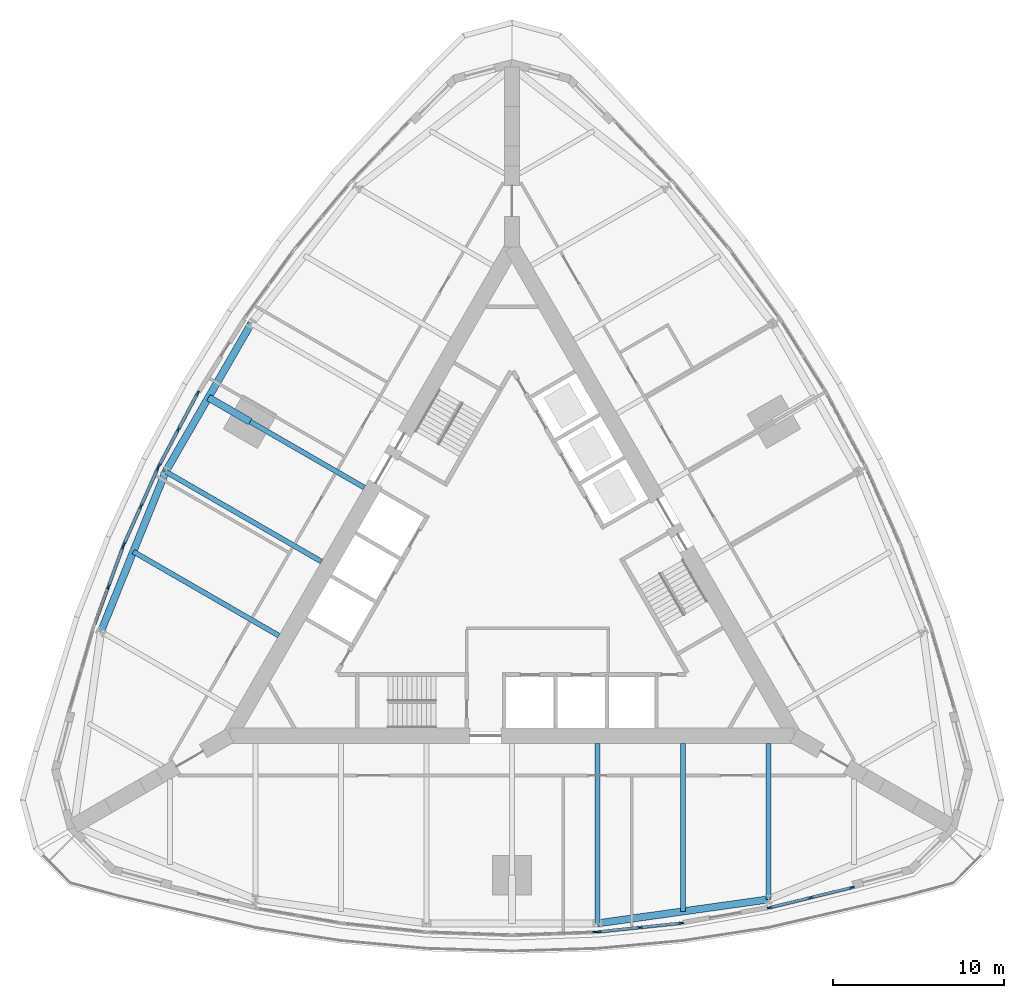
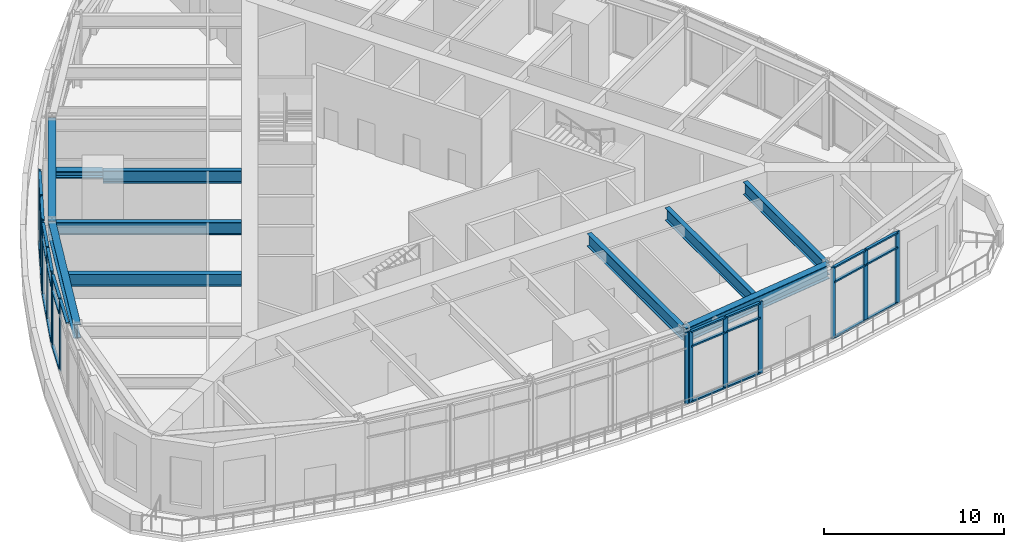
# One storey, part 3 of 14: 43 members, 10 beams, 6 elements without a shape of their own.
"""IFC4 building model written with IfcOpenShell, lengths in metres."""

from ifc_helpers import new_model, si_unit, direction, frame, origin, origin_2d, place, context, subcontext, project, spatial, rectangle, i_section, extrude, material, material_profile, profile_set, type_object, element, aggregate, save


model = new_model("IFC4")

# Units and contexts
model_context = context("Model", 3, precision=1e-05, world=origin(), true_north=direction((0.0, 1.0)))
body_context = subcontext(model_context, "Body", "Model", "MODEL_VIEW")
ifc_project = project(units=[si_unit("LENGTHUNIT", "METRE"), si_unit("AREAUNIT", "SQUARE_METRE"), si_unit("VOLUMEUNIT", "CUBIC_METRE"), si_unit("PLANEANGLEUNIT", "RADIAN"), si_unit("MASSUNIT", "GRAM", prefix="KILO")], contexts=[model_context])

# Site, building, storey
site_placement = place(None, origin())
site = spatial("IfcSite", under=ifc_project, at=site_placement, CompositionType="ELEMENT")
building_placement = place(site_placement, origin())
building = spatial("IfcBuilding", under=site, at=building_placement, Name="Trikona Tower", CompositionType="ELEMENT")
storey_placement = place(building_placement, frame((0.0, 0.0, 109.699951171875)))
storey = spatial("IfcBuildingStorey", under=building, at=storey_placement, Name="L28", CompositionType="ELEMENT", Elevation=109.699951171875)

# Curtain wall, member
ifc_material_1 = material(Name="Aluminium curtain wall system", Category="aluminium")
curtain_wall_type = type_object("IfcCurtainWallType", Name="Curtain wall SL", PredefinedType="NOTDEFINED", material=ifc_material_1)
curtain_wall_1_placement = place(storey_placement, origin())
curtain_wall_1 = element("IfcCurtainWall", 1, at=curtain_wall_1_placement, inside=storey, type_object=curtain_wall_type, Name="Curtain wall SL L28", PredefinedType="NOTDEFINED")
ifc_material_2 = material(Name="Aluminium mullion, pale anodised", Category="aluminium")
ifc_material_profile_1 = material_profile(ifc_material_2, rectangle(XDim=0.10009765625, YDim=0.300048828125, at=origin_2d()), Name="MUL-SL")
ifc_profile_set_1 = profile_set([ifc_material_profile_1], Name="Aluminium mullion, pale anodised")
member_type_1 = type_object("IfcMemberType", Name="Mullion SL 100x300", PredefinedType="MULLION", material=ifc_profile_set_1)
member_1_placement = place(storey_placement, frame((4.886474609375, -21.004150390625, 0.0), z_axis=(0.0, 0.0, 1.0), x_axis=(-0.034978582174, 0.999388062161, 0.0)))
member_1 = element("IfcMember", 2, at=member_1_placement, type_object=member_type_1, Name="CW-SL mullion 3", PredefinedType="MULLION", context=body_context, shape_type="SweptSolid", body=[
    extrude(rectangle(XDim=0.10009765625, YDim=0.300048828125, at=origin_2d()), origin(), (0.0, 0.0, 1.0), 4.8349609375),
])
aggregate(curtain_wall_1, [member_1])

# Curtain wall, members
curtain_wall_2_placement = place(storey_placement, origin())
curtain_wall_2 = element("IfcCurtainWall", 3, at=curtain_wall_2_placement, inside=storey, type_object=curtain_wall_type, Name="Curtain wall SL L28", PredefinedType="NOTDEFINED")
member_2_placement = place(storey_placement, frame((5.098876953125, -20.9892578125, 0.0), z_axis=(0.0, 0.0, 1.0), x_axis=(-0.104431270982, 0.994532105887, 0.0)))
member_2 = element("IfcMember", 4, at=member_2_placement, type_object=member_type_1, Name="CW-SL mullion 1", PredefinedType="MULLION", context=body_context, shape_type="SweptSolid", body=[
    extrude(rectangle(XDim=0.10009765625, YDim=0.300048828125, at=origin_2d()), origin(), (0.0, 0.0, 1.0), 4.8349609375),
])
member_3_placement = place(storey_placement, frame((7.489501953125, -20.73828125, 0.0), z_axis=(0.0, 0.0, 1.0), x_axis=(-0.104431270982, 0.994532105887, 0.0)))
member_3 = element("IfcMember", 5, at=member_3_placement, type_object=member_type_1, Name="CW-SL mullion 2", PredefinedType="MULLION", context=body_context, shape_type="SweptSolid", body=[
    extrude(rectangle(XDim=0.10009765625, YDim=0.300048828125, at=origin_2d()), origin(), (0.0, 0.0, 1.0), 4.8349609375),
])
member_4_placement = place(storey_placement, frame((9.880126953125, -20.4873046875, 0.0), z_axis=(0.0, 0.0, 1.0), x_axis=(-0.104431270982, 0.994532105887, 0.0)))
member_4 = element("IfcMember", 6, at=member_4_placement, type_object=member_type_1, Name="CW-SL mullion 3", PredefinedType="MULLION", context=body_context, shape_type="SweptSolid", body=[
    extrude(rectangle(XDim=0.10009765625, YDim=0.300048828125, at=origin_2d()), origin(), (0.0, 0.0, 1.0), 4.8349609375),
])

curtain_wall_3_placement = place(storey_placement, origin())
curtain_wall_3 = element("IfcCurtainWall", 7, at=curtain_wall_3_placement, inside=storey, type_object=curtain_wall_type, Name="Curtain wall SL L28", PredefinedType="NOTDEFINED")
member_5_placement = place(storey_placement, frame((15.0830078125, -19.576904296875, 0.0), z_axis=(0.0, 0.0, 1.0), x_axis=(-0.23795603831, 0.971275925694, 0.0)))
member_5 = element("IfcMember", 8, at=member_5_placement, type_object=member_type_1, Name="CW-SL mullion 1", PredefinedType="MULLION", context=body_context, shape_type="SweptSolid", body=[
    extrude(rectangle(XDim=0.10009765625, YDim=0.300048828125, at=origin_2d()), origin(), (0.0, 0.0, 1.0), 4.8349609375),
])
member_6_placement = place(storey_placement, frame((17.476318359375, -18.990478515625, 0.0), z_axis=(0.0, 0.0, 1.0), x_axis=(-0.23795603831, 0.971275925694, 0.0)))
member_6 = element("IfcMember", 9, at=member_6_placement, type_object=member_type_1, Name="CW-SL mullion 2", PredefinedType="MULLION", context=body_context, shape_type="SweptSolid", body=[
    extrude(rectangle(XDim=0.10009765625, YDim=0.300048828125, at=origin_2d()), origin(), (0.0, 0.0, 1.0), 4.8349609375),
])
member_7_placement = place(storey_placement, frame((19.869384765625, -18.404296875, 0.0), z_axis=(0.0, 0.0, 1.0), x_axis=(-0.23795603831, 0.971275925694, 0.0)))
member_7 = element("IfcMember", 10, at=member_7_placement, type_object=member_type_1, Name="CW-SL mullion 3", PredefinedType="MULLION", context=body_context, shape_type="SweptSolid", body=[
    extrude(rectangle(XDim=0.10009765625, YDim=0.300048828125, at=origin_2d()), origin(), (0.0, 0.0, 1.0), 4.8349609375),
])

curtain_wall_4_placement = place(storey_placement, origin())
curtain_wall_4 = element("IfcCurtainWall", 11, at=curtain_wall_4_placement, inside=storey, type_object=curtain_wall_type, Name="Curtain wall SL L28", PredefinedType="NOTDEFINED")
member_8_placement = place(storey_placement, frame((-18.38818359375, 10.49365234375, 0.0), z_axis=(0.0, 0.0, 1.0), x_axis=(0.882996107343, -0.469380308937, 0.0)))
member_8 = element("IfcMember", 12, at=member_8_placement, type_object=member_type_1, Name="CW-SL mullion 1", PredefinedType="MULLION", context=body_context, shape_type="SweptSolid", body=[
    extrude(rectangle(XDim=0.10009765625, YDim=0.300048828125, at=origin_2d()), origin(), (0.0, 0.0, 1.0), 4.8349609375),
])
member_9_placement = place(storey_placement, frame((-19.5107421875, 8.3818359375, 0.0), z_axis=(0.0, 0.0, 1.0), x_axis=(0.882996107343, -0.469380308937, 0.0)))
member_9 = element("IfcMember", 13, at=member_9_placement, type_object=member_type_1, Name="CW-SL mullion 2", PredefinedType="MULLION", context=body_context, shape_type="SweptSolid", body=[
    extrude(rectangle(XDim=0.10009765625, YDim=0.300048828125, at=origin_2d()), origin(), (0.0, 0.0, 1.0), 4.8349609375),
])
member_10_placement = place(storey_placement, frame((-20.63330078125, 6.270263671875, 0.0), z_axis=(0.0, 0.0, 1.0), x_axis=(0.882996107343, -0.469380308937, 0.0)))
member_10 = element("IfcMember", 14, at=member_10_placement, type_object=member_type_1, Name="CW-SL mullion 3", PredefinedType="MULLION", context=body_context, shape_type="SweptSolid", body=[
    extrude(rectangle(XDim=0.10009765625, YDim=0.300048828125, at=origin_2d()), origin(), (0.0, 0.0, 1.0), 4.8349609375),
])

curtain_wall_5_placement = place(storey_placement, origin())
curtain_wall_5 = element("IfcCurtainWall", 15, at=curtain_wall_5_placement, inside=storey, type_object=curtain_wall_type, Name="Curtain wall SL L28", PredefinedType="NOTDEFINED")
member_11_placement = place(storey_placement, frame((-20.726806640625, 6.078857421875, 0.0), z_axis=(0.0, 0.0, 1.0), x_axis=(0.913504581456, -0.406828440082, 0.0)))
member_11 = element("IfcMember", 16, at=member_11_placement, type_object=member_type_1, Name="CW-SL mullion 1", PredefinedType="MULLION", context=body_context, shape_type="SweptSolid", body=[
    extrude(rectangle(XDim=0.10009765625, YDim=0.300048828125, at=origin_2d()), origin(), (0.0, 0.0, 1.0), 4.8349609375),
])
member_12_placement = place(storey_placement, frame((-21.70458984375, 3.883056640625, 0.0), z_axis=(0.0, 0.0, 1.0), x_axis=(0.913504581456, -0.406828440082, 0.0)))
member_12 = element("IfcMember", 17, at=member_12_placement, type_object=member_type_1, Name="CW-SL mullion 2", PredefinedType="MULLION", context=body_context, shape_type="SweptSolid", body=[
    extrude(rectangle(XDim=0.10009765625, YDim=0.300048828125, at=origin_2d()), origin(), (0.0, 0.0, 1.0), 4.8349609375),
])
member_13_placement = place(storey_placement, frame((-22.6826171875, 1.687255859375, 0.0), z_axis=(0.0, 0.0, 1.0), x_axis=(0.913504581456, -0.406828440082, 0.0)))
member_13 = element("IfcMember", 18, at=member_13_placement, type_object=member_type_1, Name="CW-SL mullion 3", PredefinedType="MULLION", context=body_context, shape_type="SweptSolid", body=[
    extrude(rectangle(XDim=0.10009765625, YDim=0.300048828125, at=origin_2d()), origin(), (0.0, 0.0, 1.0), 4.8349609375),
])

curtain_wall_6_placement = place(storey_placement, origin())
curtain_wall_6 = element("IfcCurtainWall", 19, at=curtain_wall_6_placement, inside=storey, type_object=curtain_wall_type, Name="Curtain wall SL L28", PredefinedType="NOTDEFINED")
member_14_placement = place(storey_placement, frame((-22.762451171875, 1.48974609375, 0.0), z_axis=(0.0, 0.0, 1.0), x_axis=(0.939256167895, -0.343216915478, 0.0)))
member_14 = element("IfcMember", 20, at=member_14_placement, type_object=member_type_1, Name="CW-SL mullion 1", PredefinedType="MULLION", context=body_context, shape_type="SweptSolid", body=[
    extrude(rectangle(XDim=0.10009765625, YDim=0.300048828125, at=origin_2d()), origin(), (0.0, 0.0, 1.0), 4.8349609375),
])
member_15_placement = place(storey_placement, frame((-23.595947265625, -0.790771484375, 0.0), z_axis=(0.0, 0.0, 1.0), x_axis=(0.939256167895, -0.343216915478, 0.0)))
member_15 = element("IfcMember", 21, at=member_15_placement, type_object=member_type_1, Name="CW-SL mullion 2", PredefinedType="MULLION", context=body_context, shape_type="SweptSolid", body=[
    extrude(rectangle(XDim=0.10009765625, YDim=0.300048828125, at=origin_2d()), origin(), (0.0, 0.0, 1.0), 4.8349609375),
])

# Beams
ifc_material_3 = material(Name="Steel ASTM A992 Grade 50", Category="steel")
ifc_material_profile_2 = material_profile(ifc_material_3, i_section(OverallWidth=0.419189453125, OverallDepth=0.45458984375, WebThickness=0.042236328125, FlangeThickness=0.067626953125, at=origin_2d()), Name="W14X370")
ifc_profile_set_2 = profile_set([ifc_material_profile_2], Name="Steel ASTM A992 Grade 50")
beam_type_1 = type_object("IfcBeamType", Name="Steel beam W14x370 (apex bracket)", PredefinedType="BEAM", material=ifc_profile_set_2)
beam_1_placement = place(storey_placement, frame((-15.311767578125, 8.84033203125, 4.607666015625), z_axis=(-0.86605005072, 0.499957307824, 0.0), x_axis=(-0.499957307824, -0.86605005072, 0.0)))
element("IfcBeam", 22, at=beam_1_placement, inside=storey, type_object=beam_type_1, Name="Cantilever bracket L29 F3", PredefinedType="BEAM", context=body_context, shape_type="SweptSolid", body=[
    extrude(i_section(OverallWidth=0.419189453125, OverallDepth=0.45458984375, WebThickness=0.042236328125, FlangeThickness=0.067626953125, at=origin_2d()), origin(), (0.0, 0.0, 1.0), 2.819580078125),
])
ifc_material_4 = material(Name="Steel ASTM A992 Grade 50", Category="steel")
ifc_material_profile_3 = material_profile(ifc_material_4, i_section(OverallWidth=0.2919921875, OverallDepth=0.845703125, WebThickness=0.015380859375, FlangeThickness=0.0244140625, at=origin_2d()), Name="W33X141")
ifc_profile_set_3 = profile_set([ifc_material_profile_3], Name="Steel ASTM A992 Grade 50")
beam_type_2 = type_object("IfcBeamType", Name="Steel beam W33x141 (radial typ)", PredefinedType="BEAM", material=ifc_profile_set_3)
beam_2_placement = place(storey_placement, frame((5.0, -9.976318359375, 4.412109375), z_axis=(0.0, -1.0, 0.0), x_axis=(1.0, 0.0, 0.0)))
element("IfcBeam", 23, at=beam_2_placement, inside=storey, type_object=beam_type_2, Name="Floor beam L29 F1 u5", PredefinedType="BEAM", context=body_context, shape_type="SweptSolid", body=[
    extrude(i_section(OverallWidth=0.2919921875, OverallDepth=0.845703125, WebThickness=0.015380859375, FlangeThickness=0.0244140625, at=origin_2d()), origin(), (0.0, 0.0, 1.0), 10.52392578125),
])
beam_3_placement = place(storey_placement, frame((10.0, -9.976318359375, 4.412109375), z_axis=(0.0, -1.0, 0.0), x_axis=(1.0, 0.0, 0.0)))
element("IfcBeam", 24, at=beam_3_placement, inside=storey, type_object=beam_type_2, Name="Floor beam L29 F1 u10", PredefinedType="BEAM", context=body_context, shape_type="SweptSolid", body=[
    extrude(i_section(OverallWidth=0.2919921875, OverallDepth=0.845703125, WebThickness=0.015380859375, FlangeThickness=0.0244140625, at=origin_2d()), origin(), (0.0, 0.0, 1.0), 9.823974609375),
])
beam_4_placement = place(storey_placement, frame((15.0, -9.976318359375, 4.412109375), z_axis=(0.0, -1.0, 0.0), x_axis=(1.0, 0.0, 0.0)))
element("IfcBeam", 25, at=beam_4_placement, inside=storey, type_object=beam_type_2, Name="Floor beam L29 F1 u15", PredefinedType="BEAM", context=body_context, shape_type="SweptSolid", body=[
    extrude(i_section(OverallWidth=0.2919921875, OverallDepth=0.845703125, WebThickness=0.015380859375, FlangeThickness=0.0244140625, at=origin_2d()), origin(), (0.0, 0.0, 1.0), 9.123779296875),
])
beam_5_placement = place(storey_placement, frame((-8.6396484375, 4.988037109375, 4.412109375), z_axis=(-0.866017246294, 0.500014128921, 0.0), x_axis=(-0.500014128921, -0.866017246294, 0.0)))
element("IfcBeam", 26, at=beam_5_placement, inside=storey, type_object=beam_type_2, Name="Floor beam L29 F3 u0", PredefinedType="BEAM", context=body_context, shape_type="SweptSolid", body=[
    extrude(i_section(OverallWidth=0.2919921875, OverallDepth=0.845703125, WebThickness=0.015380859375, FlangeThickness=0.0244140625, at=origin_2d()), origin(), (0.0, 0.0, 1.0), 7.704345703125),
])
beam_6_placement = place(storey_placement, frame((-11.1396484375, 0.657958984375, 4.412109375), z_axis=(-0.866026035623, 0.499998905622, 0.0), x_axis=(-0.499998905622, -0.866026035623, 0.0)))
element("IfcBeam", 27, at=beam_6_placement, inside=storey, type_object=beam_type_2, Name="Floor beam L29 F3 u5", PredefinedType="BEAM", context=body_context, shape_type="SweptSolid", body=[
    extrude(i_section(OverallWidth=0.2919921875, OverallDepth=0.845703125, WebThickness=0.015380859375, FlangeThickness=0.0244140625, at=origin_2d()), origin(), (0.0, 0.0, 1.0), 10.52392578125),
])
beam_7_placement = place(storey_placement, frame((-13.6396484375, -3.672119140625, 4.412109375), z_axis=(-0.866020046725, 0.500009278584, 0.0), x_axis=(-0.500009278584, -0.866020046725, 0.0)))
element("IfcBeam", 28, at=beam_7_placement, inside=storey, type_object=beam_type_2, Name="Floor beam L29 F3 u10", PredefinedType="BEAM", context=body_context, shape_type="SweptSolid", body=[
    extrude(i_section(OverallWidth=0.2919921875, OverallDepth=0.845703125, WebThickness=0.015380859375, FlangeThickness=0.0244140625, at=origin_2d()), origin(), (0.0, 0.0, 1.0), 9.823974609375),
])
ifc_material_5 = material(Name="Steel ASTM A992 Grade 50", Category="steel")
ifc_material_profile_4 = material_profile(ifc_material_5, i_section(OverallWidth=0.424072265625, OverallDepth=0.947509765625, WebThickness=0.02392578125, FlangeThickness=0.042724609375, at=origin_2d()), Name="W36X302")
ifc_profile_set_4 = profile_set([ifc_material_profile_4], Name="Steel ASTM A992 Grade 50")
beam_type_3 = type_object("IfcBeamType", Name="Steel beam W36x302 (spandrel)", PredefinedType="SPANDREL", material=ifc_profile_set_4)
beam_8_placement = place(storey_placement, frame((5.0, -20.500244140625, 4.361328125), z_axis=(0.990339754644, 0.13866207258, 0.0), x_axis=(-0.13866207258, 0.990339754644, 0.0)))
element("IfcBeam", 29, at=beam_8_placement, inside=storey, type_object=beam_type_3, Name="Spandrel beam L29 F1-4", PredefinedType="SPANDREL", context=body_context, shape_type="SweptSolid", body=[
    extrude(i_section(OverallWidth=0.424072265625, OverallDepth=0.947509765625, WebThickness=0.02392578125, FlangeThickness=0.042724609375, at=origin_2d()), origin(), (0.0, 0.0, 1.0), 10.09765625),
])
beam_9_placement = place(storey_placement, frame((-15.253662109375, 14.580078125, 4.361328125), z_axis=(-0.500004234368, -0.866022959057, 0.0), x_axis=(0.866022959057, -0.500004234368, 0.0)))
element("IfcBeam", 30, at=beam_9_placement, inside=storey, type_object=beam_type_3, Name="Spandrel beam L29 F3-3", PredefinedType="SPANDREL", context=body_context, shape_type="SweptSolid", body=[
    extrude(i_section(OverallWidth=0.424072265625, OverallDepth=0.947509765625, WebThickness=0.02392578125, FlangeThickness=0.042724609375, at=origin_2d()), origin(), (0.0, 0.0, 1.0), 10.0),
])
beam_10_placement = place(storey_placement, frame((-20.253662109375, 5.919921875, 4.361328125), z_axis=(-0.375106193787, -0.926981846307, 0.0), x_axis=(0.926981846307, -0.375106193787, 0.0)))
element("IfcBeam", 31, at=beam_10_placement, inside=storey, type_object=beam_type_3, Name="Spandrel beam L29 F3-4", PredefinedType="SPANDREL", context=body_context, shape_type="SweptSolid", body=[
    extrude(i_section(OverallWidth=0.424072265625, OverallDepth=0.947509765625, WebThickness=0.02392578125, FlangeThickness=0.042724609375, at=origin_2d()), origin(), (0.0, 0.0, 1.0), 10.097412109375),
])

# Member
ifc_material_6 = material(Name="Aluminium transom, pale anodised", Category="aluminium")
ifc_material_profile_5 = material_profile(ifc_material_6, rectangle(XDim=0.179931640625, YDim=0.10009765625, at=origin_2d()), Name="TRN-SL")
ifc_profile_set_5 = profile_set([ifc_material_profile_5], Name="Aluminium transom, pale anodised")
member_type_2 = type_object("IfcMemberType", Name="Transom SL 100x180", PredefinedType="USERDEFINED", material=ifc_profile_set_5)
member_16_placement = place(storey_placement, frame((5.148681640625, -20.984130859375, 0.050048828125), z_axis=(0.994526336721, 0.104486197976, 0.0), x_axis=(-0.104486197976, 0.994526336721, 0.0)))
member_16 = element("IfcMember", 32, at=member_16_placement, type_object=member_type_2, Name="CW-SL transom 1.1", ObjectType="TRANSOM", PredefinedType="USERDEFINED", context=body_context, shape_type="SweptSolid", body=[
    extrude(rectangle(XDim=0.179931640625, YDim=0.10009765625, at=origin_2d()), origin(), (0.0, 0.0, 1.0), 2.303955078125),
])

member_17_placement = place(storey_placement, frame((5.148681640625, -20.984130859375, 3.800048828125), z_axis=(0.994526336721, 0.104486197976, 0.0), x_axis=(-0.104486197976, 0.994526336721, 0.0)))
member_17 = element("IfcMember", 33, at=member_17_placement, type_object=member_type_2, Name="CW-SL transom 1.2", ObjectType="TRANSOM", PredefinedType="USERDEFINED", context=body_context, shape_type="SweptSolid", body=[
    extrude(rectangle(XDim=0.179931640625, YDim=0.10009765625, at=origin_2d()), origin(), (0.0, 0.0, 1.0), 2.303955078125),
])

member_18_placement = place(storey_placement, frame((5.148681640625, -20.984130859375, 4.78515625), z_axis=(0.994526336721, 0.104486197976, 0.0), x_axis=(-0.104486197976, 0.994526336721, 0.0)))
member_18 = element("IfcMember", 34, at=member_18_placement, type_object=member_type_2, Name="CW-SL transom 1.3", ObjectType="TRANSOM", PredefinedType="USERDEFINED", context=body_context, shape_type="SweptSolid", body=[
    extrude(rectangle(XDim=0.179931640625, YDim=0.10009765625, at=origin_2d()), origin(), (0.0, 0.0, 1.0), 2.303955078125),
])

member_19_placement = place(storey_placement, frame((7.539306640625, -20.73291015625, 0.050048828125), z_axis=(0.994537343092, 0.104381383372, 0.0), x_axis=(-0.104381383372, 0.994537343092, 0.0)))
member_19 = element("IfcMember", 35, at=member_19_placement, type_object=member_type_2, Name="CW-SL transom 2.1", ObjectType="TRANSOM", PredefinedType="USERDEFINED", context=body_context, shape_type="SweptSolid", body=[
    extrude(rectangle(XDim=0.179931640625, YDim=0.10009765625, at=origin_2d()), origin(), (0.0, 0.0, 1.0), 2.303955078125),
])

member_20_placement = place(storey_placement, frame((7.539306640625, -20.73291015625, 3.800048828125), z_axis=(0.994537343092, 0.104381383372, 0.0), x_axis=(-0.104381383372, 0.994537343092, 0.0)))
member_20 = element("IfcMember", 36, at=member_20_placement, type_object=member_type_2, Name="CW-SL transom 2.2", ObjectType="TRANSOM", PredefinedType="USERDEFINED", context=body_context, shape_type="SweptSolid", body=[
    extrude(rectangle(XDim=0.179931640625, YDim=0.10009765625, at=origin_2d()), origin(), (0.0, 0.0, 1.0), 2.303955078125),
])

member_21_placement = place(storey_placement, frame((7.539306640625, -20.73291015625, 4.78515625), z_axis=(0.994537343092, 0.104381383372, 0.0), x_axis=(-0.104381383372, 0.994537343092, 0.0)))
member_21 = element("IfcMember", 37, at=member_21_placement, type_object=member_type_2, Name="CW-SL transom 2.3", ObjectType="TRANSOM", PredefinedType="USERDEFINED", context=body_context, shape_type="SweptSolid", body=[
    extrude(rectangle(XDim=0.179931640625, YDim=0.10009765625, at=origin_2d()), origin(), (0.0, 0.0, 1.0), 2.303955078125),
])

aggregate(curtain_wall_2, [member_2, member_3, member_4, member_16, member_17, member_18, member_19, member_20, member_21])

member_22_placement = place(storey_placement, frame((15.131591796875, -19.56494140625, 0.050048828125), z_axis=(0.971279779011, 0.237940309499, 0.0), x_axis=(-0.237940309499, 0.971279779011, 0.0)))
member_22 = element("IfcMember", 38, at=member_22_placement, type_object=member_type_2, Name="CW-SL transom 1.1", ObjectType="TRANSOM", PredefinedType="USERDEFINED", context=body_context, shape_type="SweptSolid", body=[
    extrude(rectangle(XDim=0.179931640625, YDim=0.10009765625, at=origin_2d()), origin(), (0.0, 0.0, 1.0), 2.364013671875),
])

member_23_placement = place(storey_placement, frame((15.131591796875, -19.56494140625, 3.800048828125), z_axis=(0.971279779011, 0.237940309499, 0.0), x_axis=(-0.237940309499, 0.971279779011, 0.0)))
member_23 = element("IfcMember", 39, at=member_23_placement, type_object=member_type_2, Name="CW-SL transom 1.2", ObjectType="TRANSOM", PredefinedType="USERDEFINED", context=body_context, shape_type="SweptSolid", body=[
    extrude(rectangle(XDim=0.179931640625, YDim=0.10009765625, at=origin_2d()), origin(), (0.0, 0.0, 1.0), 2.364013671875),
])

member_24_placement = place(storey_placement, frame((15.131591796875, -19.56494140625, 4.78515625), z_axis=(0.971279779011, 0.237940309499, 0.0), x_axis=(-0.237940309499, 0.971279779011, 0.0)))
member_24 = element("IfcMember", 40, at=member_24_placement, type_object=member_type_2, Name="CW-SL transom 1.3", ObjectType="TRANSOM", PredefinedType="USERDEFINED", context=body_context, shape_type="SweptSolid", body=[
    extrude(rectangle(XDim=0.179931640625, YDim=0.10009765625, at=origin_2d()), origin(), (0.0, 0.0, 1.0), 2.364013671875),
])

member_25_placement = place(storey_placement, frame((17.524658203125, -18.978759765625, 0.050048828125), z_axis=(0.971279779011, 0.237940309499, 0.0), x_axis=(-0.237940309499, 0.971279779011, 0.0)))
member_25 = element("IfcMember", 41, at=member_25_placement, type_object=member_type_2, Name="CW-SL transom 2.1", ObjectType="TRANSOM", PredefinedType="USERDEFINED", context=body_context, shape_type="SweptSolid", body=[
    extrude(rectangle(XDim=0.179931640625, YDim=0.10009765625, at=origin_2d()), origin(), (0.0, 0.0, 1.0), 2.364013671875),
])

member_26_placement = place(storey_placement, frame((17.524658203125, -18.978759765625, 3.800048828125), z_axis=(0.971279779011, 0.237940309499, 0.0), x_axis=(-0.237940309499, 0.971279779011, 0.0)))
member_26 = element("IfcMember", 42, at=member_26_placement, type_object=member_type_2, Name="CW-SL transom 2.2", ObjectType="TRANSOM", PredefinedType="USERDEFINED", context=body_context, shape_type="SweptSolid", body=[
    extrude(rectangle(XDim=0.179931640625, YDim=0.10009765625, at=origin_2d()), origin(), (0.0, 0.0, 1.0), 2.364013671875),
])

member_27_placement = place(storey_placement, frame((17.524658203125, -18.978759765625, 4.78515625), z_axis=(0.971279779011, 0.237940309499, 0.0), x_axis=(-0.237940309499, 0.971279779011, 0.0)))
member_27 = element("IfcMember", 43, at=member_27_placement, type_object=member_type_2, Name="CW-SL transom 2.3", ObjectType="TRANSOM", PredefinedType="USERDEFINED", context=body_context, shape_type="SweptSolid", body=[
    extrude(rectangle(XDim=0.179931640625, YDim=0.10009765625, at=origin_2d()), origin(), (0.0, 0.0, 1.0), 2.364013671875),
])

aggregate(curtain_wall_3, [member_5, member_6, member_7, member_22, member_23, member_24, member_25, member_26, member_27])

member_28_placement = place(storey_placement, frame((-18.41162109375, 10.449462890625, 0.050048828125), z_axis=(-0.469404471075, -0.882983262885, 0.0), x_axis=(0.882983262885, -0.469404471075, 0.0)))
member_28 = element("IfcMember", 44, at=member_28_placement, type_object=member_type_2, Name="CW-SL transom 1.1", ObjectType="TRANSOM", PredefinedType="USERDEFINED", context=body_context, shape_type="SweptSolid", body=[
    extrude(rectangle(XDim=0.179931640625, YDim=0.10009765625, at=origin_2d()), origin(), (0.0, 0.0, 1.0), 2.29150390625),
])

member_29_placement = place(storey_placement, frame((-18.41162109375, 10.449462890625, 3.800048828125), z_axis=(-0.469404471075, -0.882983262885, 0.0), x_axis=(0.882983262885, -0.469404471075, 0.0)))
member_29 = element("IfcMember", 45, at=member_29_placement, type_object=member_type_2, Name="CW-SL transom 1.2", ObjectType="TRANSOM", PredefinedType="USERDEFINED", context=body_context, shape_type="SweptSolid", body=[
    extrude(rectangle(XDim=0.179931640625, YDim=0.10009765625, at=origin_2d()), origin(), (0.0, 0.0, 1.0), 2.29150390625),
])

member_30_placement = place(storey_placement, frame((-18.41162109375, 10.449462890625, 4.78515625), z_axis=(-0.469404471075, -0.882983262885, 0.0), x_axis=(0.882983262885, -0.469404471075, 0.0)))
member_30 = element("IfcMember", 46, at=member_30_placement, type_object=member_type_2, Name="CW-SL transom 1.3", ObjectType="TRANSOM", PredefinedType="USERDEFINED", context=body_context, shape_type="SweptSolid", body=[
    extrude(rectangle(XDim=0.179931640625, YDim=0.10009765625, at=origin_2d()), origin(), (0.0, 0.0, 1.0), 2.29150390625),
])

member_31_placement = place(storey_placement, frame((-19.5341796875, 8.337646484375, 0.050048828125), z_axis=(-0.469404471075, -0.882983262885, 0.0), x_axis=(0.882983262885, -0.469404471075, 0.0)))
member_31 = element("IfcMember", 47, at=member_31_placement, type_object=member_type_2, Name="CW-SL transom 2.1", ObjectType="TRANSOM", PredefinedType="USERDEFINED", context=body_context, shape_type="SweptSolid", body=[
    extrude(rectangle(XDim=0.179931640625, YDim=0.10009765625, at=origin_2d()), origin(), (0.0, 0.0, 1.0), 2.29150390625),
])

member_32_placement = place(storey_placement, frame((-19.5341796875, 8.337646484375, 3.800048828125), z_axis=(-0.469404471075, -0.882983262885, 0.0), x_axis=(0.882983262885, -0.469404471075, 0.0)))
member_32 = element("IfcMember", 48, at=member_32_placement, type_object=member_type_2, Name="CW-SL transom 2.2", ObjectType="TRANSOM", PredefinedType="USERDEFINED", context=body_context, shape_type="SweptSolid", body=[
    extrude(rectangle(XDim=0.179931640625, YDim=0.10009765625, at=origin_2d()), origin(), (0.0, 0.0, 1.0), 2.29150390625),
])

member_33_placement = place(storey_placement, frame((-19.5341796875, 8.337646484375, 4.78515625), z_axis=(-0.469404471075, -0.882983262885, 0.0), x_axis=(0.882983262885, -0.469404471075, 0.0)))
member_33 = element("IfcMember", 49, at=member_33_placement, type_object=member_type_2, Name="CW-SL transom 2.3", ObjectType="TRANSOM", PredefinedType="USERDEFINED", context=body_context, shape_type="SweptSolid", body=[
    extrude(rectangle(XDim=0.179931640625, YDim=0.10009765625, at=origin_2d()), origin(), (0.0, 0.0, 1.0), 2.29150390625),
])

aggregate(curtain_wall_4, [member_8, member_9, member_10, member_28, member_29, member_30, member_31, member_32, member_33])

member_34_placement = place(storey_placement, frame((-20.7470703125, 6.033203125, 0.050048828125), z_axis=(-0.406836468832, -0.913501005817, 0.0), x_axis=(0.913501005817, -0.406836468832, 0.0)))
member_34 = element("IfcMember", 50, at=member_34_placement, type_object=member_type_2, Name="CW-SL transom 1.1", ObjectType="TRANSOM", PredefinedType="USERDEFINED", context=body_context, shape_type="SweptSolid", body=[
    extrude(rectangle(XDim=0.179931640625, YDim=0.10009765625, at=origin_2d()), origin(), (0.0, 0.0, 1.0), 2.3037109375),
])

member_35_placement = place(storey_placement, frame((-20.7470703125, 6.033203125, 3.800048828125), z_axis=(-0.406836468832, -0.913501005817, 0.0), x_axis=(0.913501005817, -0.406836468832, 0.0)))
member_35 = element("IfcMember", 51, at=member_35_placement, type_object=member_type_2, Name="CW-SL transom 1.2", ObjectType="TRANSOM", PredefinedType="USERDEFINED", context=body_context, shape_type="SweptSolid", body=[
    extrude(rectangle(XDim=0.179931640625, YDim=0.10009765625, at=origin_2d()), origin(), (0.0, 0.0, 1.0), 2.3037109375),
])

member_36_placement = place(storey_placement, frame((-20.7470703125, 6.033203125, 4.78515625), z_axis=(-0.406836468832, -0.913501005817, 0.0), x_axis=(0.913501005817, -0.406836468832, 0.0)))
member_36 = element("IfcMember", 52, at=member_36_placement, type_object=member_type_2, Name="CW-SL transom 1.3", ObjectType="TRANSOM", PredefinedType="USERDEFINED", context=body_context, shape_type="SweptSolid", body=[
    extrude(rectangle(XDim=0.179931640625, YDim=0.10009765625, at=origin_2d()), origin(), (0.0, 0.0, 1.0), 2.3037109375),
])

member_37_placement = place(storey_placement, frame((-21.72509765625, 3.83740234375, 0.050048828125), z_axis=(-0.406748029, -0.913540388218, 0.0), x_axis=(0.913540388218, -0.406748029, 0.0)))
member_37 = element("IfcMember", 53, at=member_37_placement, type_object=member_type_2, Name="CW-SL transom 2.1", ObjectType="TRANSOM", PredefinedType="USERDEFINED", context=body_context, shape_type="SweptSolid", body=[
    extrude(rectangle(XDim=0.179931640625, YDim=0.10009765625, at=origin_2d()), origin(), (0.0, 0.0, 1.0), 2.3037109375),
])

member_38_placement = place(storey_placement, frame((-21.72509765625, 3.83740234375, 3.800048828125), z_axis=(-0.406748029, -0.913540388218, 0.0), x_axis=(0.913540388218, -0.406748029, 0.0)))
member_38 = element("IfcMember", 54, at=member_38_placement, type_object=member_type_2, Name="CW-SL transom 2.2", ObjectType="TRANSOM", PredefinedType="USERDEFINED", context=body_context, shape_type="SweptSolid", body=[
    extrude(rectangle(XDim=0.179931640625, YDim=0.10009765625, at=origin_2d()), origin(), (0.0, 0.0, 1.0), 2.3037109375),
])

member_39_placement = place(storey_placement, frame((-21.72509765625, 3.83740234375, 4.78515625), z_axis=(-0.406748029, -0.913540388218, 0.0), x_axis=(0.913540388218, -0.406748029, 0.0)))
member_39 = element("IfcMember", 55, at=member_39_placement, type_object=member_type_2, Name="CW-SL transom 2.3", ObjectType="TRANSOM", PredefinedType="USERDEFINED", context=body_context, shape_type="SweptSolid", body=[
    extrude(rectangle(XDim=0.179931640625, YDim=0.10009765625, at=origin_2d()), origin(), (0.0, 0.0, 1.0), 2.3037109375),
])

aggregate(curtain_wall_5, [member_11, member_12, member_13, member_34, member_35, member_36, member_37, member_38, member_39])

member_40_placement = place(storey_placement, frame((-22.77978515625, 1.44287109375, 0.050048828125), z_axis=(-0.343216080807, -0.939256472895, 0.0), x_axis=(0.939256472895, -0.343216080807, 0.0)))
member_40 = element("IfcMember", 56, at=member_40_placement, type_object=member_type_2, Name="CW-SL transom 1.1", ObjectType="TRANSOM", PredefinedType="USERDEFINED", context=body_context, shape_type="SweptSolid", body=[
    extrude(rectangle(XDim=0.179931640625, YDim=0.10009765625, at=origin_2d()), origin(), (0.0, 0.0, 1.0), 2.328125),
])

member_41_placement = place(storey_placement, frame((-22.77978515625, 1.44287109375, 3.800048828125), z_axis=(-0.343216080807, -0.939256472895, 0.0), x_axis=(0.939256472895, -0.343216080807, 0.0)))
member_41 = element("IfcMember", 57, at=member_41_placement, type_object=member_type_2, Name="CW-SL transom 1.2", ObjectType="TRANSOM", PredefinedType="USERDEFINED", context=body_context, shape_type="SweptSolid", body=[
    extrude(rectangle(XDim=0.179931640625, YDim=0.10009765625, at=origin_2d()), origin(), (0.0, 0.0, 1.0), 2.328125),
])

member_42_placement = place(storey_placement, frame((-22.77978515625, 1.44287109375, 4.78515625), z_axis=(-0.343216080807, -0.939256472895, 0.0), x_axis=(0.939256472895, -0.343216080807, 0.0)))
member_42 = element("IfcMember", 58, at=member_42_placement, type_object=member_type_2, Name="CW-SL transom 1.3", ObjectType="TRANSOM", PredefinedType="USERDEFINED", context=body_context, shape_type="SweptSolid", body=[
    extrude(rectangle(XDim=0.179931640625, YDim=0.10009765625, at=origin_2d()), origin(), (0.0, 0.0, 1.0), 2.328125),
])

member_43_placement = place(storey_placement, frame((-23.613037109375, -0.837646484375, 4.78515625), z_axis=(-0.343216080807, -0.939256472895, 0.0), x_axis=(0.939256472895, -0.343216080807, 0.0)))
member_43 = element("IfcMember", 59, at=member_43_placement, type_object=member_type_2, Name="CW-SL transom 2.3", ObjectType="TRANSOM", PredefinedType="USERDEFINED", context=body_context, shape_type="SweptSolid", body=[
    extrude(rectangle(XDim=0.179931640625, YDim=0.10009765625, at=origin_2d()), origin(), (0.0, 0.0, 1.0), 2.328125),
])

aggregate(curtain_wall_6, [member_14, member_15, member_40, member_41, member_42, member_43])

save(model, "model.ifc")
